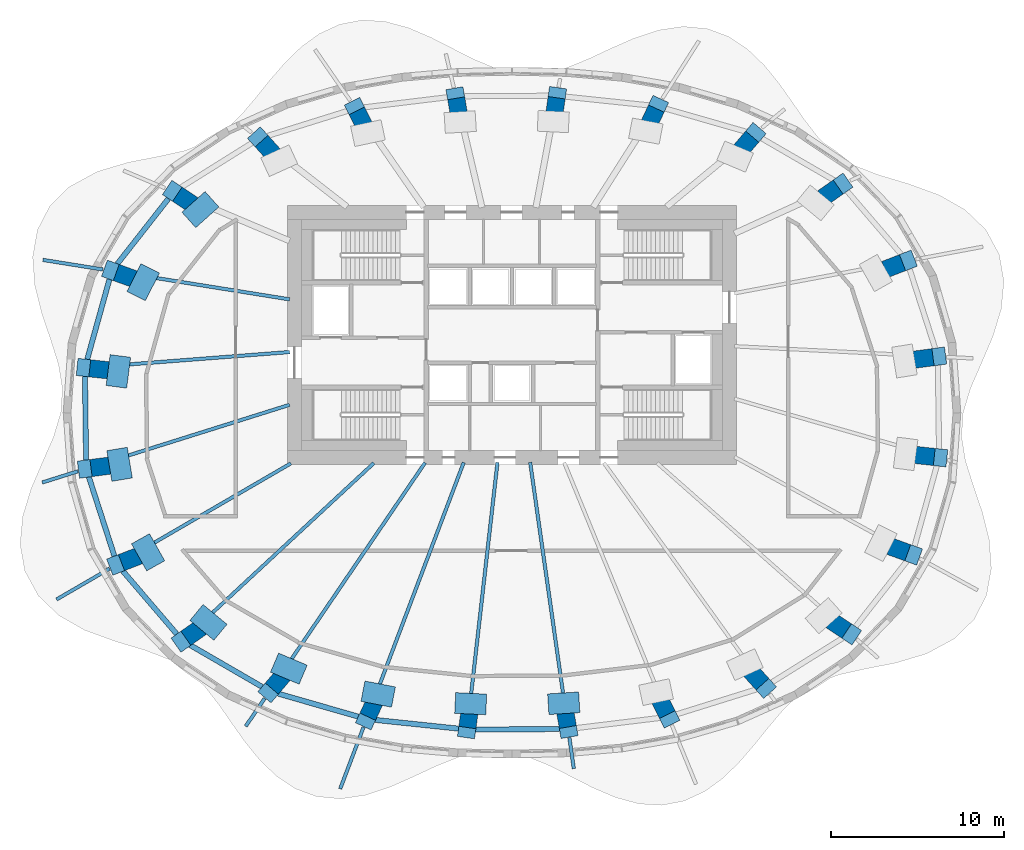
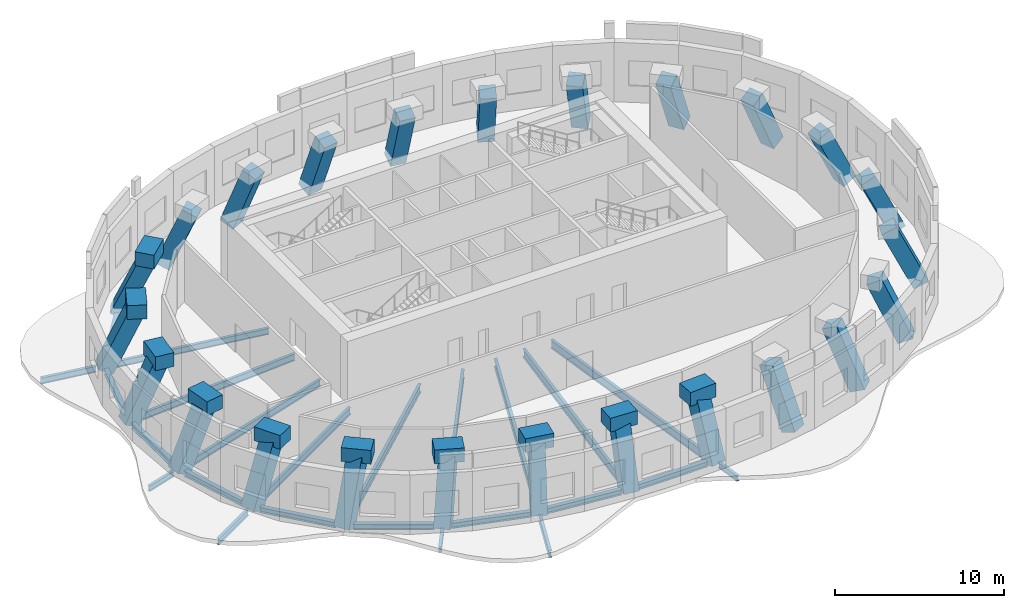
# One storey, part 1 of 9: 34 beams, 24 columns.
"""IFC4 building model written with IfcOpenShell, lengths in metres."""

from ifc_helpers import new_model, si_unit, direction, frame, origin, origin_2d, place, context, subcontext, project, spatial, rectangle, i_section, extrude, material, material_profile, profile_set, type_object, element, save


model = new_model("IFC4")

# Units and contexts
model_context = context("Model", 3, precision=1e-05, world=origin(), true_north=direction((0.0, 1.0)))
body_context = subcontext(model_context, "Body", "Model", "MODEL_VIEW")
ifc_project = project(units=[si_unit("LENGTHUNIT", "METRE"), si_unit("AREAUNIT", "SQUARE_METRE"), si_unit("VOLUMEUNIT", "CUBIC_METRE"), si_unit("PLANEANGLEUNIT", "RADIAN"), si_unit("MASSUNIT", "GRAM", prefix="KILO")], contexts=[model_context])

# Site, building, storey
site_placement = place(None, origin())
site = spatial("IfcSite", under=ifc_project, at=site_placement, CompositionType="ELEMENT")
building_placement = place(site_placement, origin())
building = spatial("IfcBuilding", under=site, at=building_placement, Name="Rubra Terraces Tower", CompositionType="ELEMENT")
storey_placement = place(building_placement, frame((0.0, 0.0, 264.300048828125)))
storey = spatial("IfcBuildingStorey", under=building, at=storey_placement, Name="L65", CompositionType="ELEMENT", Elevation=264.300048828125)

# Columns
ifc_material_1 = material(Name="Concrete C50", Category="concrete")
ifc_material_profile_1 = material_profile(ifc_material_1, rectangle(XDim=1.0, YDim=1.0, at=origin_2d()), Name="RC 1000x1000")
ifc_profile_set_1 = profile_set([ifc_material_profile_1], Name="Concrete C50")
column_type = type_object("IfcColumnType", Name="RING COLUMN RC 1000x1000 C50", PredefinedType="COLUMN", material=ifc_profile_set_1)
column_1_placement = place(storey_placement, frame((24.6689453125, 3.248046875, -0.5830078125), z_axis=(-0.420612957354, -0.055455531218, 0.905543717422), x_axis=(0.130713362485, -0.991420201967, 0.0)))
element("IfcColumn", 1, at=column_1_placement, inside=storey, type_object=column_type, Name="column-L65-ring-01", PredefinedType="COLUMN", context=body_context, shape_type="SweptSolid", body=[
    extrude(rectangle(XDim=1.0, YDim=1.0, at=origin_2d()), origin(), (0.0, 0.0, 1.0), 4.6005859375),
])
column_2_placement = place(storey_placement, frame((22.87890625, 8.787109375, -0.5849609375), z_axis=(-0.391333642687, -0.151718841645, 0.907655977335), x_axis=(0.361480683506, -0.932379598367, 0.0)))
element("IfcColumn", 2, at=column_2_placement, inside=storey, type_object=column_type, Name="column-L65-ring-02", PredefinedType="COLUMN", context=body_context, shape_type="SweptSolid", body=[
    extrude(rectangle(XDim=1.0, YDim=1.0, at=origin_2d()), origin(), (0.0, 0.0, 1.0), 4.59423828125),
])
column_3_placement = place(storey_placement, frame((19.092041015625, 13.208984375, -0.593994140625), z_axis=(-0.329610632582, -0.231266388475, 0.915353859691), x_axis=(0.574360318683, -0.818602604639, 0.0)))
element("IfcColumn", 3, at=column_3_placement, inside=storey, type_object=column_type, Name="column-L65-ring-03", PredefinedType="COLUMN", context=body_context, shape_type="SweptSolid", body=[
    extrude(rectangle(XDim=1.0, YDim=1.0, at=origin_2d()), origin(), (0.0, 0.0, 1.0), 4.5751953125),
])
column_4_placement = place(storey_placement, frame((14.0419921875, 16.135986328125, -0.60595703125), z_axis=(-0.245164009976, -0.286713592573, 0.926115502541), x_axis=(0.760029513811, -0.649888558243, 0.0)))
element("IfcColumn", 4, at=column_4_placement, inside=storey, type_object=column_type, Name="column-L65-ring-04", PredefinedType="COLUMN", context=body_context, shape_type="SweptSolid", body=[
    extrude(rectangle(XDim=1.0, YDim=1.0, at=origin_2d()), origin(), (0.0, 0.0, 1.0), 4.5478515625),
])
column_5_placement = place(storey_placement, frame((8.422119140625, 17.7490234375, -0.619140625), z_axis=(-0.148262587168, -0.318583885924, 0.936227810352), x_axis=(0.906629641713, -0.421927354845, 0.0)))
element("IfcColumn", 5, at=column_5_placement, inside=storey, type_object=column_type, Name="column-L65-ring-05", PredefinedType="COLUMN", context=body_context, shape_type="SweptSolid", body=[
    extrude(rectangle(XDim=1.0, YDim=1.0, at=origin_2d()), origin(), (0.0, 0.0, 1.0), 4.526611328125),
])
for number, where, z_axis, x_axis, name in (
    (6, (2.60205078125, 18.35791015625, -0.6279296875), (-0.046492983528, -0.331235476835, 0.942401963797), (0.990292415941, -0.138999751544, 0.0), "column-L65-ring-06"),
    (7, (-3.25390625, 18.330078125, -0.626953125), (0.056441494143, -0.330863931183, 0.941989074661), (0.985759878424, 0.168159038084, 0.0), "column-L65-ring-07"),
):
    element("IfcColumn", number, at=place(storey_placement, frame(where, z_axis=z_axis, x_axis=x_axis)), inside=storey, type_object=column_type, Name=name, PredefinedType="COLUMN", context=body_context, shape_type="SweptSolid", body=[
        extrude(rectangle(XDim=1.0, YDim=1.0, at=origin_2d()), origin(), (0.0, 0.0, 1.0), 4.515869140625),
    ])
column_6_placement = place(storey_placement, frame((-9.06298828125, 17.625, -0.6181640625), z_axis=(0.158109970508, -0.316435570024, 0.93534473177), x_axis=(0.89454907246, 0.446969749493, 0.0)))
element("IfcColumn", 8, at=column_6_placement, inside=storey, type_object=column_type, Name="column-L65-ring-08", PredefinedType="COLUMN", context=body_context, shape_type="SweptSolid", body=[
    extrude(rectangle(XDim=1.0, YDim=1.0, at=origin_2d()), origin(), (0.0, 0.0, 1.0), 4.52880859375),
])
column_7_placement = place(storey_placement, frame((-14.64306640625, 15.881103515625, -0.60498046875), z_axis=(0.254010498473, -0.282388862505, 0.925059564027), x_axis=(0.743476713513, 0.66876182342, 0.0)))
element("IfcColumn", 9, at=column_7_placement, inside=storey, type_object=column_type, Name="column-L65-ring-09", PredefinedType="COLUMN", context=body_context, shape_type="SweptSolid", body=[
    extrude(rectangle(XDim=1.0, YDim=1.0, at=origin_2d()), origin(), (0.0, 0.0, 1.0), 4.551025390625),
])
column_8_placement = place(storey_placement, frame((-19.593017578125, 12.7900390625, -0.593017578125), z_axis=(0.336846855875, -0.224369018789, 0.914435749025), x_axis=(0.554365652735, 0.832273226211, 0.0)))
element("IfcColumn", 10, at=column_8_placement, inside=storey, type_object=column_type, Name="column-L65-ring-10", PredefinedType="COLUMN", context=body_context, shape_type="SweptSolid", body=[
    extrude(rectangle(XDim=1.0, YDim=1.0, at=origin_2d()), origin(), (0.0, 0.0, 1.0), 4.57763671875),
])
column_9_placement = place(storey_placement, frame((-23.18505859375, 8.2099609375, -0.5849609375), z_axis=(0.395577824141, -0.142730980726, 0.907273967547), x_axis=(0.339399243932, 0.940642415171, 0.0)))
element("IfcColumn", 11, at=column_9_placement, inside=storey, type_object=column_type, Name="column-L65-ring-11", PredefinedType="COLUMN", context=body_context, shape_type="SweptSolid", body=[
    extrude(rectangle(XDim=1.0, YDim=1.0, at=origin_2d()), origin(), (0.0, 0.0, 1.0), 4.59619140625),
])
column_10_placement = place(storey_placement, frame((-24.742919921875, 2.59912109375, -0.5830078125), z_axis=(0.421868566773, -0.04568916176, 0.905505059548), x_axis=(0.107672267565, 0.994186442674, 0.0)))
element("IfcColumn", 12, at=column_10_placement, inside=storey, type_object=column_type, Name="column-L65-ring-12", PredefinedType="COLUMN", context=body_context, shape_type="SweptSolid", body=[
    extrude(rectangle(XDim=1.0, YDim=1.0, at=origin_2d()), origin(), (0.0, 0.0, 1.0), 4.600830078125),
])
column_11_placement = place(storey_placement, frame((-24.6689453125, -3.248046875, -0.5830078125), z_axis=(0.420612957354, 0.055455531218, 0.905543717422), x_axis=(-0.130713362485, 0.991420201967, 0.0)))
element("IfcColumn", 13, at=column_11_placement, inside=storey, type_object=column_type, Name="column-L65-ring-13", PredefinedType="COLUMN", context=body_context, shape_type="SweptSolid", body=[
    extrude(rectangle(XDim=1.0, YDim=1.0, at=origin_2d()), origin(), (0.0, 0.0, 1.0), 4.6005859375),
])
column_12_placement = place(storey_placement, frame((-22.87890625, -8.787109375, -0.5849609375), z_axis=(0.391333642687, 0.151718841645, 0.907655977335), x_axis=(-0.361480683506, 0.932379598367, 0.0)))
element("IfcColumn", 14, at=column_12_placement, inside=storey, type_object=column_type, Name="column-L65-ring-14", PredefinedType="COLUMN", context=body_context, shape_type="SweptSolid", body=[
    extrude(rectangle(XDim=1.0, YDim=1.0, at=origin_2d()), origin(), (0.0, 0.0, 1.0), 4.59423828125),
])
column_13_placement = place(storey_placement, frame((-19.092041015625, -13.208984375, -0.593994140625), z_axis=(0.329610632582, 0.231266388475, 0.915353859691), x_axis=(-0.574360318683, 0.818602604639, 0.0)))
element("IfcColumn", 15, at=column_13_placement, inside=storey, type_object=column_type, Name="column-L65-ring-15", PredefinedType="COLUMN", context=body_context, shape_type="SweptSolid", body=[
    extrude(rectangle(XDim=1.0, YDim=1.0, at=origin_2d()), origin(), (0.0, 0.0, 1.0), 4.5751953125),
])
column_14_placement = place(storey_placement, frame((-14.0419921875, -16.135986328125, -0.60595703125), z_axis=(0.245164009976, 0.286713592573, 0.926115502541), x_axis=(-0.760029513811, 0.649888558243, 0.0)))
element("IfcColumn", 16, at=column_14_placement, inside=storey, type_object=column_type, Name="column-L65-ring-16", PredefinedType="COLUMN", context=body_context, shape_type="SweptSolid", body=[
    extrude(rectangle(XDim=1.0, YDim=1.0, at=origin_2d()), origin(), (0.0, 0.0, 1.0), 4.5478515625),
])
column_15_placement = place(storey_placement, frame((-8.422119140625, -17.7490234375, -0.619140625), z_axis=(0.148262587168, 0.318583885924, 0.936227810352), x_axis=(-0.906629641713, 0.421927354845, 0.0)))
element("IfcColumn", 17, at=column_15_placement, inside=storey, type_object=column_type, Name="column-L65-ring-17", PredefinedType="COLUMN", context=body_context, shape_type="SweptSolid", body=[
    extrude(rectangle(XDim=1.0, YDim=1.0, at=origin_2d()), origin(), (0.0, 0.0, 1.0), 4.526611328125),
])
for number, where, z_axis, x_axis, name in (
    (18, (-2.60205078125, -18.35791015625, -0.6279296875), (0.046492983528, 0.331235476835, 0.942401963797), (-0.990292415941, 0.138999751544, 0.0), "column-L65-ring-18"),
    (19, (3.25390625, -18.330078125, -0.626953125), (-0.056441494143, 0.330863931183, 0.941989074661), (-0.985759878424, -0.168159038084, 0.0), "column-L65-ring-19"),
):
    element("IfcColumn", number, at=place(storey_placement, frame(where, z_axis=z_axis, x_axis=x_axis)), inside=storey, type_object=column_type, Name=name, PredefinedType="COLUMN", context=body_context, shape_type="SweptSolid", body=[
        extrude(rectangle(XDim=1.0, YDim=1.0, at=origin_2d()), origin(), (0.0, 0.0, 1.0), 4.515869140625),
    ])
column_16_placement = place(storey_placement, frame((9.06298828125, -17.625, -0.6181640625), z_axis=(-0.158109970508, 0.316435570024, 0.93534473177), x_axis=(-0.89454907246, -0.446969749493, 0.0)))
element("IfcColumn", 20, at=column_16_placement, inside=storey, type_object=column_type, Name="column-L65-ring-20", PredefinedType="COLUMN", context=body_context, shape_type="SweptSolid", body=[
    extrude(rectangle(XDim=1.0, YDim=1.0, at=origin_2d()), origin(), (0.0, 0.0, 1.0), 4.52880859375),
])
column_17_placement = place(storey_placement, frame((14.64306640625, -15.881103515625, -0.60498046875), z_axis=(-0.254010498473, 0.282388862505, 0.925059564027), x_axis=(-0.743476713513, -0.66876182342, 0.0)))
element("IfcColumn", 21, at=column_17_placement, inside=storey, type_object=column_type, Name="column-L65-ring-21", PredefinedType="COLUMN", context=body_context, shape_type="SweptSolid", body=[
    extrude(rectangle(XDim=1.0, YDim=1.0, at=origin_2d()), origin(), (0.0, 0.0, 1.0), 4.551025390625),
])
column_18_placement = place(storey_placement, frame((19.593017578125, -12.7900390625, -0.593017578125), z_axis=(-0.336846855875, 0.224369018789, 0.914435749025), x_axis=(-0.554365652735, -0.832273226211, 0.0)))
element("IfcColumn", 22, at=column_18_placement, inside=storey, type_object=column_type, Name="column-L65-ring-22", PredefinedType="COLUMN", context=body_context, shape_type="SweptSolid", body=[
    extrude(rectangle(XDim=1.0, YDim=1.0, at=origin_2d()), origin(), (0.0, 0.0, 1.0), 4.57763671875),
])
column_19_placement = place(storey_placement, frame((23.18505859375, -8.2099609375, -0.5849609375), z_axis=(-0.395577824141, 0.142730980726, 0.907273967547), x_axis=(-0.339399243932, -0.940642415171, 0.0)))
element("IfcColumn", 23, at=column_19_placement, inside=storey, type_object=column_type, Name="column-L65-ring-23", PredefinedType="COLUMN", context=body_context, shape_type="SweptSolid", body=[
    extrude(rectangle(XDim=1.0, YDim=1.0, at=origin_2d()), origin(), (0.0, 0.0, 1.0), 4.59619140625),
])
column_20_placement = place(storey_placement, frame((24.742919921875, -2.59912109375, -0.5830078125), z_axis=(-0.421868566773, 0.04568916176, 0.905505059548), x_axis=(-0.107672267565, -0.994186442674, 0.0)))
element("IfcColumn", 24, at=column_20_placement, inside=storey, type_object=column_type, Name="column-L65-ring-24", PredefinedType="COLUMN", context=body_context, shape_type="SweptSolid", body=[
    extrude(rectangle(XDim=1.0, YDim=1.0, at=origin_2d()), origin(), (0.0, 0.0, 1.0), 4.600830078125),
])

# Beams
ifc_material_2 = material(Name="Steel Q355B", Category="steel")
ifc_material_profile_2 = material_profile(ifc_material_2, i_section(OverallWidth=0.199951171875, OverallDepth=0.39990234375, WebThickness=0.008056640625, FlangeThickness=0.012939453125, at=origin_2d()), Name="HN 400x200x8x13")
ifc_profile_set_2 = profile_set([ifc_material_profile_2], Name="Steel Q355B")
beam_type_1 = type_object("IfcBeamType", Name="CANTILEVER BEAM HN 400x200x8x13", PredefinedType="BEAM", material=ifc_profile_set_2)
beam_1_placement = place(storey_placement, frame((-25.15087890625, -3.39892578125, -0.5), z_axis=(-0.953976176962, -0.299882399933, 0.0), x_axis=(0.299882399933, -0.953976176962, 0.0)))
element("IfcBeam", 25, at=beam_1_placement, inside=storey, type_object=beam_type_1, Name="beam-L65-cant-13", PredefinedType="BEAM", context=body_context, shape_type="SweptSolid", body=[
    extrude(i_section(OverallWidth=0.199951171875, OverallDepth=0.39990234375, WebThickness=0.008056640625, FlangeThickness=0.012939453125, at=origin_2d()), origin(), (0.0, 0.0, 1.0), 2.161376953125),
])
beam_2_placement = place(storey_placement, frame((-14.3291015625, -16.556884765625, -0.5), z_axis=(-0.562330561229, -0.826912534618, 0.0), x_axis=(0.826912534618, -0.562330561229, 0.0)))
element("IfcBeam", 26, at=beam_2_placement, inside=storey, type_object=beam_type_1, Name="beam-L65-cant-16", PredefinedType="BEAM", context=body_context, shape_type="SweptSolid", body=[
    extrude(i_section(OverallWidth=0.199951171875, OverallDepth=0.39990234375, WebThickness=0.008056640625, FlangeThickness=0.012939453125, at=origin_2d()), origin(), (0.0, 0.0, 1.0), 1.95068359375),
])
beam_3_placement = place(storey_placement, frame((3.324951171875, -18.826904296875, -0.5), z_axis=(0.141308200987, -0.989965652098, 0.0), x_axis=(0.989965652098, 0.141308200987, 0.0)))
element("IfcBeam", 27, at=beam_3_placement, inside=storey, type_object=beam_type_1, Name="beam-L65-cant-19", PredefinedType="BEAM", context=body_context, shape_type="SweptSolid", body=[
    extrude(i_section(OverallWidth=0.199951171875, OverallDepth=0.39990234375, WebThickness=0.008056640625, FlangeThickness=0.012939453125, at=origin_2d()), origin(), (0.0, 0.0, 1.0), 1.812255859375),
])
ifc_material_profile_3 = material_profile(ifc_material_2, i_section(OverallWidth=0.198974609375, OverallDepth=0.446044921875, WebThickness=0.008056640625, FlangeThickness=0.011962890625, at=origin_2d()), Name="HN 446x199x8x12")
ifc_profile_set_3 = profile_set([ifc_material_profile_3], Name="Steel Q355B")
beam_type_2 = type_object("IfcBeamType", Name="CANTILEVER BEAM HN 446x199x8x12", PredefinedType="BEAM", material=ifc_profile_set_3)
beam_4_placement = place(storey_placement, frame((-23.702880859375, 8.29296875, -0.52294921875), z_axis=(-0.987460993252, 0.157863190158, 0.0), x_axis=(-0.157863190158, -0.987460993252, 0.0)))
element("IfcBeam", 28, at=beam_4_placement, inside=storey, type_object=beam_type_2, Name="beam-L65-cant-11", PredefinedType="BEAM", context=body_context, shape_type="SweptSolid", body=[
    extrude(i_section(OverallWidth=0.198974609375, OverallDepth=0.446044921875, WebThickness=0.008056640625, FlangeThickness=0.011962890625, at=origin_2d()), origin(), (0.0, 0.0, 1.0), 3.515380859375),
])
beam_5_placement = place(storey_placement, frame((-23.31103515625, -9.0380859375, -0.52294921875), z_axis=(-0.864736046466, -0.50222661214, 0.0), x_axis=(0.50222661214, -0.864736046466, 0.0)))
element("IfcBeam", 29, at=beam_5_placement, inside=storey, type_object=beam_type_2, Name="beam-L65-cant-14", PredefinedType="BEAM", context=body_context, shape_type="SweptSolid", body=[
    extrude(i_section(OverallWidth=0.198974609375, OverallDepth=0.446044921875, WebThickness=0.008056640625, FlangeThickness=0.011962890625, at=origin_2d()), origin(), (0.0, 0.0, 1.0), 3.555908203125),
])
ifc_material_profile_4 = material_profile(ifc_material_2, i_section(OverallWidth=0.198974609375, OverallDepth=0.49609375, WebThickness=0.009033203125, FlangeThickness=0.013916015625, at=origin_2d()), Name="HN 496x199x9x14")
ifc_profile_set_4 = profile_set([ifc_material_profile_4], Name="Steel Q355B")
beam_type_3 = type_object("IfcBeamType", Name="CANTILEVER BEAM HN 496x199x9x14", PredefinedType="BEAM", material=ifc_profile_set_4)
beam_6_placement = place(storey_placement, frame((-8.60205078125, -18.222900390625, -0.548095703125), z_axis=(-0.353975284334, -0.935254777096, 0.0), x_axis=(0.935254777096, -0.353975284334, 0.0)))
element("IfcBeam", 30, at=beam_6_placement, inside=storey, type_object=beam_type_3, Name="beam-L65-cant-17", PredefinedType="BEAM", context=body_context, shape_type="SweptSolid", body=[
    extrude(i_section(OverallWidth=0.198974609375, OverallDepth=0.49609375, WebThickness=0.009033203125, FlangeThickness=0.013916015625, at=origin_2d()), origin(), (0.0, 0.0, 1.0), 3.816162109375),
])
ifc_material_profile_5 = material_profile(ifc_material_2, i_section(OverallWidth=0.198974609375, OverallDepth=0.446044921875, WebThickness=0.008056640625, FlangeThickness=0.011962890625, at=origin_2d()), Name="HN 446x199x8x12")
ifc_profile_set_5 = profile_set([ifc_material_profile_5], Name="Steel Q355B")
beam_type_4 = type_object("IfcBeamType", Name="FLOOR BEAM HN 446x199x8x12", PredefinedType="BEAM", material=ifc_profile_set_5)
beam_7_placement = place(storey_placement, frame((-22.6669921875, 8.126953125, -0.52294921875), z_axis=(0.987435404133, -0.158023171289, 0.0), x_axis=(0.158023171289, 0.987435404133, 0.0)))
element("IfcBeam", 31, at=beam_7_placement, inside=storey, type_object=beam_type_4, Name="beam-L65-floor-11", PredefinedType="BEAM", context=body_context, shape_type="SweptSolid", body=[
    extrude(i_section(OverallWidth=0.198974609375, OverallDepth=0.446044921875, WebThickness=0.008056640625, FlangeThickness=0.011962890625, at=origin_2d()), origin(), (0.0, 0.0, 1.0), 9.909423828125),
])
ifc_material_profile_6 = material_profile(ifc_material_2, i_section(OverallWidth=0.198974609375, OverallDepth=0.49609375, WebThickness=0.009033203125, FlangeThickness=0.013916015625, at=origin_2d()), Name="HN 496x199x9x14")
ifc_profile_set_6 = profile_set([ifc_material_profile_6], Name="Steel Q355B")
beam_type_5 = type_object("IfcBeamType", Name="FLOOR BEAM HN 496x199x9x14", PredefinedType="BEAM", material=ifc_profile_set_6)
beam_8_placement = place(storey_placement, frame((-24.23388671875, 2.637939453125, -0.548095703125), z_axis=(0.997063306908, 0.076581734234, 0.0), x_axis=(-0.076581734234, 0.997063306908, 0.0)))
element("IfcBeam", 32, at=beam_8_placement, inside=storey, type_object=beam_type_5, Name="beam-L65-floor-12", PredefinedType="BEAM", context=body_context, shape_type="SweptSolid", body=[
    extrude(i_section(OverallWidth=0.198974609375, OverallDepth=0.49609375, WebThickness=0.009033203125, FlangeThickness=0.013916015625, at=origin_2d()), origin(), (0.0, 0.0, 1.0), 11.387451171875),
])
beam_9_placement = place(storey_placement, frame((-24.18701171875, -3.096923828125, -0.548095703125), z_axis=(0.954040699023, 0.299677067204, 0.0), x_axis=(-0.299677067204, 0.954040699023, 0.0)))
element("IfcBeam", 33, at=beam_9_placement, inside=storey, type_object=beam_type_5, Name="beam-L65-floor-13", PredefinedType="BEAM", context=body_context, shape_type="SweptSolid", body=[
    extrude(i_section(OverallWidth=0.198974609375, OverallDepth=0.49609375, WebThickness=0.009033203125, FlangeThickness=0.013916015625, at=origin_2d()), origin(), (0.0, 0.0, 1.0), 11.845458984375),
])
beam_10_placement = place(storey_placement, frame((-22.447021484375, -8.535888671875, -0.548095703125), z_axis=(0.864755491844, 0.502193129508, 0.0), x_axis=(-0.502193129508, 0.864755491844, 0.0)))
element("IfcBeam", 34, at=beam_10_placement, inside=storey, type_object=beam_type_5, Name="beam-L65-floor-14", PredefinedType="BEAM", context=body_context, shape_type="SweptSolid", body=[
    extrude(i_section(OverallWidth=0.198974609375, OverallDepth=0.49609375, WebThickness=0.009033203125, FlangeThickness=0.013916015625, at=origin_2d()), origin(), (0.0, 0.0, 1.0), 11.14306640625),
])
ifc_material_profile_7 = material_profile(ifc_material_2, i_section(OverallWidth=0.198974609375, OverallDepth=0.595947265625, WebThickness=0.010009765625, FlangeThickness=0.014892578125, at=origin_2d()), Name="HN 596x199x10x15")
ifc_profile_set_7 = profile_set([ifc_material_profile_7], Name="Steel Q355B")
beam_type_6 = type_object("IfcBeamType", Name="FLOOR BEAM HN 596x199x10x15", PredefinedType="BEAM", material=ifc_profile_set_7)
beam_11_placement = place(storey_placement, frame((-18.721923828125, -12.865966796875, -0.59814453125), z_axis=(0.733130458484, 0.680088031687, 0.0), x_axis=(-0.680088031687, 0.733130458484, 0.0)))
element("IfcBeam", 35, at=beam_11_placement, inside=storey, type_object=beam_type_6, Name="beam-L65-floor-15", PredefinedType="BEAM", context=body_context, shape_type="SweptSolid", body=[
    extrude(i_section(OverallWidth=0.198974609375, OverallDepth=0.595947265625, WebThickness=0.010009765625, FlangeThickness=0.014892578125, at=origin_2d()), origin(), (0.0, 0.0, 1.0), 14.62744140625),
])
beam_12_placement = place(storey_placement, frame((-13.7548828125, -15.715087890625, -0.59814453125), z_axis=(0.562545242124, 0.826766503049, 0.0), x_axis=(-0.826766503049, 0.562545242124, 0.0)))
element("IfcBeam", 36, at=beam_12_placement, inside=storey, type_object=beam_type_6, Name="beam-L65-floor-16", PredefinedType="BEAM", context=body_context, shape_type="SweptSolid", body=[
    extrude(i_section(OverallWidth=0.198974609375, OverallDepth=0.595947265625, WebThickness=0.010009765625, FlangeThickness=0.014892578125, at=origin_2d()), origin(), (0.0, 0.0, 1.0), 15.499267578125),
])
beam_13_placement = place(storey_placement, frame((-8.241943359375, -17.27490234375, -0.59814453125), z_axis=(0.353955134415, 0.93526240319, 0.0), x_axis=(-0.93526240319, 0.353955134415, 0.0)))
element("IfcBeam", 37, at=beam_13_placement, inside=storey, type_object=beam_type_6, Name="beam-L65-floor-17", PredefinedType="BEAM", context=body_context, shape_type="SweptSolid", body=[
    extrude(i_section(OverallWidth=0.198974609375, OverallDepth=0.595947265625, WebThickness=0.010009765625, FlangeThickness=0.014892578125, at=origin_2d()), origin(), (0.0, 0.0, 1.0), 15.3828125),
])
beam_14_placement = place(storey_placement, frame((-2.544921875, -17.860107421875, -0.59814453125), z_axis=(0.113084825914, 0.993585337124, 0.0), x_axis=(-0.993585337124, 0.113084825914, 0.0)))
element("IfcBeam", 38, at=beam_14_placement, inside=storey, type_object=beam_type_6, Name="beam-L65-floor-18", PredefinedType="BEAM", context=body_context, shape_type="SweptSolid", body=[
    extrude(i_section(OverallWidth=0.198974609375, OverallDepth=0.595947265625, WebThickness=0.010009765625, FlangeThickness=0.014892578125, at=origin_2d()), origin(), (0.0, 0.0, 1.0), 15.07568359375),
])
beam_15_placement = place(storey_placement, frame((3.18310546875, -17.8330078125, -0.59814453125), z_axis=(-0.141104514479, 0.989994705033, 0.0), x_axis=(-0.989994705033, -0.141104514479, 0.0)))
element("IfcBeam", 39, at=beam_15_placement, inside=storey, type_object=beam_type_6, Name="beam-L65-floor-19", PredefinedType="BEAM", context=body_context, shape_type="SweptSolid", body=[
    extrude(i_section(OverallWidth=0.198974609375, OverallDepth=0.595947265625, WebThickness=0.010009765625, FlangeThickness=0.014892578125, at=origin_2d()), origin(), (0.0, 0.0, 1.0), 15.10302734375),
])
ifc_material_profile_8 = material_profile(ifc_material_2, i_section(OverallWidth=0.300048828125, OverallDepth=0.389892578125, WebThickness=0.010009765625, FlangeThickness=0.01611328125, at=origin_2d()), Name="HM 390x300x10x16")
ifc_profile_set_8 = profile_set([ifc_material_profile_8], Name="Steel Q355B")
beam_type_7 = type_object("IfcBeamType", Name="SPANDREL BEAM HM 390x300x10x16", PredefinedType="SPANDREL", material=ifc_profile_set_8)
beam_16_placement = place(storey_placement, frame((-19.906005859375, 12.39111328125, -0.4951171875), z_axis=(-0.617060338015, -0.786915840004, 0.0), x_axis=(0.786915840004, -0.617060338015, 0.0)))
element("IfcBeam", 40, at=beam_16_placement, inside=storey, type_object=beam_type_7, Name="beam-L65-spandrel-10", PredefinedType="SPANDREL", context=body_context, shape_type="SweptSolid", body=[
    extrude(i_section(OverallWidth=0.300048828125, OverallDepth=0.389892578125, WebThickness=0.010009765625, FlangeThickness=0.01611328125, at=origin_2d()), origin(), (0.0, 0.0, 1.0), 4.8037109375),
])
beam_17_placement = place(storey_placement, frame((-23.321044921875, 7.718994140625, -0.4951171875), z_axis=(-0.267625533012, -0.963523001324, 0.0), x_axis=(0.963523001324, -0.267625533012, 0.0)))
element("IfcBeam", 41, at=beam_17_placement, inside=storey, type_object=beam_type_7, Name="beam-L65-spandrel-11", PredefinedType="SPANDREL", context=body_context, shape_type="SweptSolid", body=[
    extrude(i_section(OverallWidth=0.300048828125, OverallDepth=0.389892578125, WebThickness=0.010009765625, FlangeThickness=0.01611328125, at=origin_2d()), origin(), (0.0, 0.0, 1.0), 4.808349609375),
])
beam_18_placement = place(storey_placement, frame((-24.737060546875, 2.093994140625, -0.4951171875), z_axis=(0.012822047643, -0.999917794168, 0.0), x_axis=(0.999917794168, 0.012822047643, 0.0)))
element("IfcBeam", 42, at=beam_18_placement, inside=storey, type_object=beam_type_7, Name="beam-L65-spandrel-12", PredefinedType="SPANDREL", context=body_context, shape_type="SweptSolid", body=[
    extrude(i_section(OverallWidth=0.300048828125, OverallDepth=0.389892578125, WebThickness=0.010009765625, FlangeThickness=0.01611328125, at=origin_2d()), origin(), (0.0, 0.0, 1.0), 4.83642578125),
])
beam_19_placement = place(storey_placement, frame((-24.512939453125, -3.72900390625, -0.4951171875), z_axis=(0.307359002872, -0.951593633519, 0.0), x_axis=(0.951593633519, 0.307359002872, 0.0)))
element("IfcBeam", 43, at=beam_19_placement, inside=storey, type_object=beam_type_7, Name="beam-L65-spandrel-13", PredefinedType="SPANDREL", context=body_context, shape_type="SweptSolid", body=[
    extrude(i_section(OverallWidth=0.300048828125, OverallDepth=0.389892578125, WebThickness=0.010009765625, FlangeThickness=0.01611328125, at=origin_2d()), origin(), (0.0, 0.0, 1.0), 4.8056640625),
])
beam_20_placement = place(storey_placement, frame((-22.547119140625, -9.174072265625, -0.4951171875), z_axis=(0.650372836218, -0.759615148552, 0.0), x_axis=(0.759615148552, 0.650372836218, 0.0)))
element("IfcBeam", 44, at=beam_20_placement, inside=storey, type_object=beam_type_7, Name="beam-L65-spandrel-14", PredefinedType="SPANDREL", context=body_context, shape_type="SweptSolid", body=[
    extrude(i_section(OverallWidth=0.300048828125, OverallDepth=0.389892578125, WebThickness=0.010009765625, FlangeThickness=0.01611328125, at=origin_2d()), origin(), (0.0, 0.0, 1.0), 4.804931640625),
])
beam_21_placement = place(storey_placement, frame((-18.653076171875, -13.462890625, -0.4951171875), z_axis=(0.865153680787, -0.501506838059, 0.0), x_axis=(0.501506838059, 0.865153680787, 0.0)))
element("IfcBeam", 45, at=beam_21_placement, inside=storey, type_object=beam_type_7, Name="beam-L65-spandrel-15", PredefinedType="SPANDREL", context=body_context, shape_type="SweptSolid", body=[
    extrude(i_section(OverallWidth=0.300048828125, OverallDepth=0.389892578125, WebThickness=0.010009765625, FlangeThickness=0.01611328125, at=origin_2d()), origin(), (0.0, 0.0, 1.0), 4.82568359375),
])
beam_22_placement = place(storey_placement, frame((-13.55810546875, -16.27490234375, -0.4951171875), z_axis=(0.961171164323, -0.275952881621, 0.0), x_axis=(0.275952881621, 0.961171164323, 0.0)))
element("IfcBeam", 46, at=beam_22_placement, inside=storey, type_object=beam_type_7, Name="beam-L65-spandrel-16", PredefinedType="SPANDREL", context=body_context, shape_type="SweptSolid", body=[
    extrude(i_section(OverallWidth=0.300048828125, OverallDepth=0.389892578125, WebThickness=0.010009765625, FlangeThickness=0.01611328125, at=origin_2d()), origin(), (0.0, 0.0, 1.0), 4.842041015625),
])
beam_23_placement = place(storey_placement, frame((-7.923095703125, -17.801025390625, -0.4951171875), z_axis=(0.994565426955, -0.104113454971, 0.0), x_axis=(0.104113454971, 0.994565426955, 0.0)))
element("IfcBeam", 47, at=beam_23_placement, inside=storey, type_object=beam_type_7, Name="beam-L65-spandrel-17", PredefinedType="SPANDREL", context=body_context, shape_type="SweptSolid", body=[
    extrude(i_section(OverallWidth=0.300048828125, OverallDepth=0.389892578125, WebThickness=0.010009765625, FlangeThickness=0.01611328125, at=origin_2d()), origin(), (0.0, 0.0, 1.0), 4.849365234375),
])
beam_24_placement = place(storey_placement, frame((-2.10107421875, -18.35595703125, -0.4951171875), z_axis=(0.999987852299, 0.004929021704, 0.0), x_axis=(-0.004929021704, 0.999987852299, 0.0)))
element("IfcBeam", 48, at=beam_24_placement, inside=storey, type_object=beam_type_7, Name="beam-L65-spandrel-18", PredefinedType="SPANDREL", context=body_context, shape_type="SweptSolid", body=[
    extrude(i_section(OverallWidth=0.300048828125, OverallDepth=0.389892578125, WebThickness=0.010009765625, FlangeThickness=0.01611328125, at=origin_2d()), origin(), (0.0, 0.0, 1.0), 4.85400390625),
])
ifc_material_profile_9 = material_profile(ifc_material_1, rectangle(XDim=1.199951171875, YDim=1.0, at=origin_2d()), Name="RC 1200x1000")
ifc_profile_set_9 = profile_set([ifc_material_profile_9], Name="Concrete C50")
beam_type_8 = type_object("IfcBeamType", Name="TRANSFER NODE RC 1200x1000 C50", PredefinedType="BEAM", material=ifc_profile_set_9)
beam_25_placement = place(storey_placement, frame((-17.3798828125, 12.363037109375, 3.800048828125), z_axis=(-0.745468266738, -0.666541118977, 0.0), x_axis=(0.666541118977, -0.745468266738, 0.0)))
element("IfcBeam", 49, at=beam_25_placement, inside=storey, type_object=beam_type_8, Name="node-L65-hi-10", PredefinedType="BEAM", context=body_context, shape_type="SweptSolid", body=[
    extrude(rectangle(XDim=1.199951171875, YDim=1.0, at=origin_2d()), origin(), (0.0, 0.0, 1.0), 1.80029296875),
])
beam_26_placement = place(storey_placement, frame((-20.9599609375, 8.35693359375, 3.800048828125), z_axis=(-0.452088514453, -0.891973079806, 0.0), x_axis=(0.891973079806, -0.452088514453, 0.0)))
element("IfcBeam", 50, at=beam_26_placement, inside=storey, type_object=beam_type_8, Name="node-L65-hi-11", PredefinedType="BEAM", context=body_context, shape_type="SweptSolid", body=[
    extrude(rectangle(XDim=1.199951171875, YDim=1.0, at=origin_2d()), origin(), (0.0, 0.0, 1.0), 1.800537109375),
])
beam_27_placement = place(storey_placement, frame((-22.68603515625, 3.281982421875, 3.800048828125), z_axis=(-0.128788580977, -0.991672073525, 0.0), x_axis=(0.991672073525, -0.128788580977, 0.0)))
element("IfcBeam", 51, at=beam_27_placement, inside=storey, type_object=beam_type_8, Name="node-L65-hi-12", PredefinedType="BEAM", context=body_context, shape_type="SweptSolid", body=[
    extrude(rectangle(XDim=1.199951171875, YDim=1.0, at=origin_2d()), origin(), (0.0, 0.0, 1.0), 1.80078125),
])
beam_28_placement = place(storey_placement, frame((-22.8798828125, -2.10498046875, 3.800048828125), z_axis=(0.162221073445, -0.986754439225, 0.0), x_axis=(0.986754439225, 0.162221073445, 0.0)))
element("IfcBeam", 52, at=beam_28_placement, inside=storey, type_object=beam_type_8, Name="node-L65-hi-13", PredefinedType="BEAM", context=body_context, shape_type="SweptSolid", body=[
    extrude(rectangle(XDim=1.199951171875, YDim=1.0, at=origin_2d()), origin(), (0.0, 0.0, 1.0), 1.800048828125),
])
beam_29_placement = place(storey_placement, frame((-21.52197265625, -7.305908203125, 3.800048828125), z_axis=(0.490267682133, -0.871571913186, 0.0), x_axis=(0.871571913186, 0.490267682133, 0.0)))
element("IfcBeam", 53, at=beam_29_placement, inside=storey, type_object=beam_type_8, Name="node-L65-hi-14", PredefinedType="BEAM", context=body_context, shape_type="SweptSolid", body=[
    extrude(rectangle(XDim=1.199951171875, YDim=1.0, at=origin_2d()), origin(), (0.0, 0.0, 1.0), 1.799072265625),
])
beam_30_placement = place(storey_placement, frame((-18.278076171875, -11.576904296875, 3.800048828125), z_axis=(0.770571032781, -0.637354127184, 0.0), x_axis=(0.637354127184, 0.770571032781, 0.0)))
element("IfcBeam", 54, at=beam_30_placement, inside=storey, type_object=beam_type_8, Name="node-L65-hi-15", PredefinedType="BEAM", context=body_context, shape_type="SweptSolid", body=[
    extrude(rectangle(XDim=1.199951171875, YDim=1.0, at=origin_2d()), origin(), (0.0, 0.0, 1.0), 1.801513671875),
])
beam_31_placement = place(storey_placement, frame((-13.756103515625, -14.48193359375, 3.800048828125), z_axis=(0.921285202125, -0.38888761403, 0.0), x_axis=(0.38888761403, 0.921285202125, 0.0)))
element("IfcBeam", 55, at=beam_31_placement, inside=storey, type_object=beam_type_8, Name="node-L65-hi-16", PredefinedType="BEAM", context=body_context, shape_type="SweptSolid", body=[
    extrude(rectangle(XDim=1.199951171875, YDim=1.0, at=origin_2d()), origin(), (0.0, 0.0, 1.0), 1.7998046875),
])
beam_32_placement = place(storey_placement, frame((-8.635009765625, -16.136962890625, 3.800048828125), z_axis=(0.981998708769, -0.188887627909, 0.0), x_axis=(0.188887627909, 0.981998708769, 0.0)))
element("IfcBeam", 56, at=beam_32_placement, inside=storey, type_object=beam_type_8, Name="node-L65-hi-17", PredefinedType="BEAM", context=body_context, shape_type="SweptSolid", body=[
    extrude(rectangle(XDim=1.199951171875, YDim=1.0, at=origin_2d()), origin(), (0.0, 0.0, 1.0), 1.800537109375),
])
beam_33_placement = place(storey_placement, frame((-3.291015625, -16.818115234375, 3.800048828125), z_axis=(0.998807517184, -0.048821548701, 0.0), x_axis=(0.048821548701, 0.998807517184, 0.0)))
element("IfcBeam", 57, at=beam_33_placement, inside=storey, type_object=beam_type_8, Name="node-L65-hi-18", PredefinedType="BEAM", context=body_context, shape_type="SweptSolid", body=[
    extrude(rectangle(XDim=1.199951171875, YDim=1.0, at=origin_2d()), origin(), (0.0, 0.0, 1.0), 1.80029296875),
])
beam_34_placement = place(storey_placement, frame((2.10107421875, -16.89208984375, 3.800048828125), z_axis=(0.998058908568, 0.062276922109, 0.0), x_axis=(-0.062276922109, 0.998058908568, 0.0)))
element("IfcBeam", 58, at=beam_34_placement, inside=storey, type_object=beam_type_8, Name="node-L65-hi-19", PredefinedType="BEAM", context=body_context, shape_type="SweptSolid", body=[
    extrude(rectangle(XDim=1.199951171875, YDim=1.0, at=origin_2d()), origin(), (0.0, 0.0, 1.0), 1.79931640625),
])

save(model, "model.ifc")
